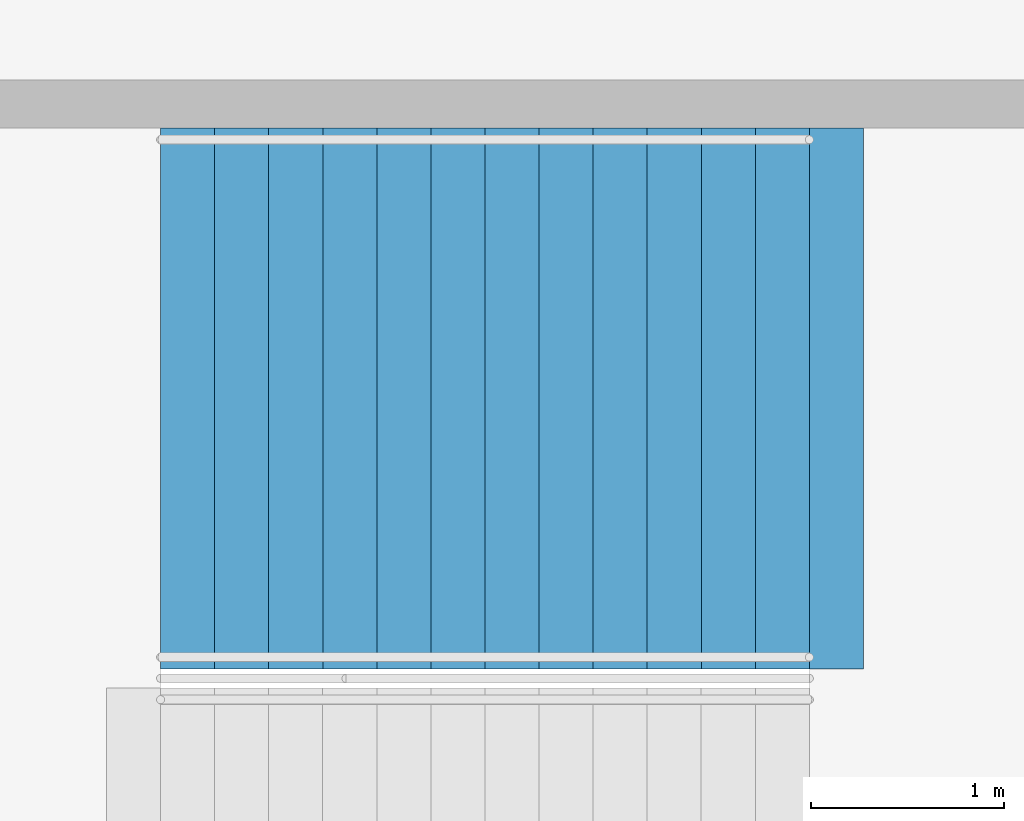
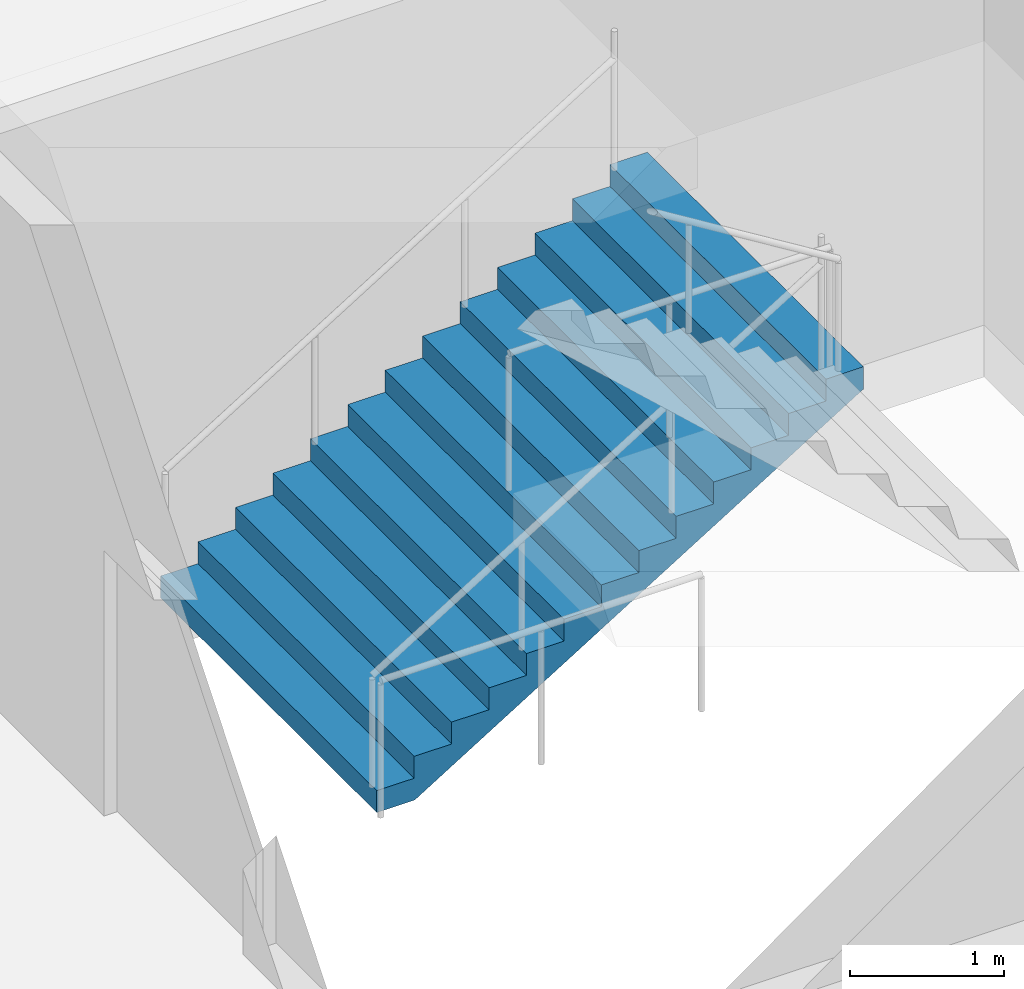
# One storey, part 152 of 199: 1 stair flight, 1 element without a shape of its own.
"""IFC4 building model written with IfcOpenShell, lengths in metres."""

from ifc_helpers import new_model, si_unit, direction, frame, origin, place, context, subcontext, project, spatial, faceted_brep, material, type_object, element, aggregate, save


model = new_model("IFC4")

# Units and contexts
model_context = context("Model", 3, precision=1e-05, world=origin(), true_north=direction((0.0, 1.0)))
body_context = subcontext(model_context, "Body", "Model", "MODEL_VIEW")
ifc_project = project(units=[si_unit("LENGTHUNIT", "METRE"), si_unit("AREAUNIT", "SQUARE_METRE"), si_unit("VOLUMEUNIT", "CUBIC_METRE"), si_unit("PLANEANGLEUNIT", "RADIAN"), si_unit("MASSUNIT", "GRAM", prefix="KILO")], contexts=[model_context])

# Site, building, storey
site_placement = place(None, origin())
site = spatial("IfcSite", under=ifc_project, at=site_placement, CompositionType="ELEMENT")
building_placement = place(site_placement, origin())
building = spatial("IfcBuilding", under=site, at=building_placement, Name="Ogive Plaza Stadium", CompositionType="ELEMENT")
storey_placement = place(building_placement, frame((0.0, 0.0, 4.5)))
storey = spatial("IfcBuildingStorey", under=building, at=storey_placement, Name="L01", CompositionType="ELEMENT", Elevation=4.5)

# Stair, stair flight
ifc_material_1 = material(Name="Concrete C40/50", Category="concrete")
stair_type = type_object("IfcStairType", Name="Exit stair", PredefinedType="STRAIGHT_RUN_STAIR", material=ifc_material_1)
stair_placement = place(storey_placement, origin())
stair = element("IfcStair", 1, at=stair_placement, inside=storey, type_object=stair_type, Name="Exit stair ST04B L01 to L02", PredefinedType="STRAIGHT_RUN_STAIR")
ifc_material_2 = material(Name="Concrete C40/50", Category="concrete")
stair_flight_type = type_object("IfcStairFlightType", Name="Exit stair flight", PredefinedType="STRAIGHT", material=ifc_material_2)
stair_flight_placement = place(storey_placement, frame((76.35009765625, 11.925048828125, 0.0), z_axis=(0.0, 0.0, 1.0), x_axis=(1.0, 0.0, 0.0)))
stair_flight = element("IfcStairFlight", 2, at=stair_flight_placement, type_object=stair_flight_type, Name="ST04B flight 1", NumberOfRisers=13, NumberOfTreads=12, PredefinedType="STRAIGHT", RiserHeight=0.173076923, TreadLength=0.28, context=body_context, shape_type="Brep", body=[
    faceted_brep([(0.28515625, -1.39990234375, 0.0), (3.639892578125, -1.39990234375, 2.07373046875), (3.639892578125, -1.39990234375, 2.25), (3.360107421875, -1.39990234375, 2.25), (3.360107421875, -1.39990234375, 2.076904296875), (3.080078125, -1.39990234375, 2.076904296875), (3.080078125, -1.39990234375, 1.90380859375), (2.800048828125, -1.39990234375, 1.90380859375), (2.800048828125, -1.39990234375, 1.730712890625), (2.52001953125, -1.39990234375, 1.730712890625), (2.52001953125, -1.39990234375, 1.5576171875), (2.239990234375, -1.39990234375, 1.5576171875), (2.239990234375, -1.39990234375, 1.384521484375), (1.9599609375, -1.39990234375, 1.384521484375), (1.9599609375, -1.39990234375, 1.21142578125), (1.679931640625, -1.39990234375, 1.21142578125), (1.679931640625, -1.39990234375, 1.03857421875), (1.39990234375, -1.39990234375, 1.03857421875), (1.39990234375, -1.39990234375, 0.865478515625), (1.1201171875, -1.39990234375, 0.865478515625), (1.1201171875, -1.39990234375, 0.6923828125), (0.840087890625, -1.39990234375, 0.6923828125), (0.840087890625, -1.39990234375, 0.519287109375), (0.56005859375, -1.39990234375, 0.519287109375), (0.56005859375, -1.39990234375, 0.34619140625), (0.280029296875, -1.39990234375, 0.34619140625), (0.280029296875, -1.39990234375, 0.173095703125), (0.0, -1.39990234375, 0.173095703125), (0.0, -1.39990234375, 0.0), (0.0, 1.39990234375, 0.0), (0.0, 1.39990234375, 0.173095703125), (0.280029296875, 1.39990234375, 0.173095703125), (0.280029296875, 1.39990234375, 0.34619140625), (0.56005859375, 1.39990234375, 0.34619140625), (0.56005859375, 1.39990234375, 0.519287109375), (0.840087890625, 1.39990234375, 0.519287109375), (0.840087890625, 1.39990234375, 0.6923828125), (1.1201171875, 1.39990234375, 0.6923828125), (1.1201171875, 1.39990234375, 0.865478515625), (1.39990234375, 1.39990234375, 0.865478515625), (1.39990234375, 1.39990234375, 1.03857421875), (1.679931640625, 1.39990234375, 1.03857421875), (1.679931640625, 1.39990234375, 1.21142578125), (1.9599609375, 1.39990234375, 1.21142578125), (1.9599609375, 1.39990234375, 1.384521484375), (2.239990234375, 1.39990234375, 1.384521484375), (2.239990234375, 1.39990234375, 1.5576171875), (2.52001953125, 1.39990234375, 1.5576171875), (2.52001953125, 1.39990234375, 1.730712890625), (2.800048828125, 1.39990234375, 1.730712890625), (2.800048828125, 1.39990234375, 1.90380859375), (3.080078125, 1.39990234375, 1.90380859375), (3.080078125, 1.39990234375, 2.076904296875), (3.360107421875, 1.39990234375, 2.076904296875), (3.360107421875, 1.39990234375, 2.25), (3.639892578125, 1.39990234375, 2.25), (3.639892578125, 1.39990234375, 2.07373046875), (0.28515625, 1.39990234375, 0.0), (0.28515625, -1.0888671875, 0.0), (3.639892578125, -1.0888671875, 2.07373046875), (0.28515625, -0.77783203125, 0.0), (3.639892578125, -0.77783203125, 2.07373046875), (0.28515625, -0.466796875, 0.0), (3.639892578125, -0.466796875, 2.07373046875), (0.28515625, -0.155517578125, 0.0), (3.639892578125, -0.155517578125, 2.07373046875), (0.28515625, 0.155517578125, 0.0), (3.639892578125, 0.155517578125, 2.07373046875), (0.28515625, 0.466796875, 0.0), (3.639892578125, 0.466796875, 2.07373046875), (0.28515625, 0.77783203125, 0.0), (3.639892578125, 0.77783203125, 2.07373046875), (0.28515625, 1.0888671875, 0.0), (3.639892578125, 1.0888671875, 2.07373046875), (3.639892578125, -1.0888671875, 2.25), (3.639892578125, -0.77783203125, 2.25), (3.639892578125, -0.466796875, 2.25), (3.639892578125, -0.155517578125, 2.25), (3.639892578125, 0.155517578125, 2.25), (3.639892578125, 0.466796875, 2.25), (3.639892578125, 0.77783203125, 2.25), (3.639892578125, 1.0888671875, 2.25), (3.360107421875, -1.0888671875, 2.25), (3.360107421875, -0.77783203125, 2.25), (3.360107421875, -0.466796875, 2.25), (3.360107421875, -0.155517578125, 2.25), (3.360107421875, 0.155517578125, 2.25), (3.360107421875, 0.466796875, 2.25), (3.360107421875, 0.77783203125, 2.25), (3.360107421875, 1.0888671875, 2.25), (3.360107421875, -1.0888671875, 2.076904296875), (3.360107421875, -0.77783203125, 2.076904296875), (3.360107421875, -0.466796875, 2.076904296875), (3.360107421875, -0.155517578125, 2.076904296875), (3.360107421875, 0.155517578125, 2.076904296875), (3.360107421875, 0.466796875, 2.076904296875), (3.360107421875, 0.77783203125, 2.076904296875), (3.360107421875, 1.0888671875, 2.076904296875), (3.080078125, -1.0888671875, 2.076904296875), (3.080078125, -0.77783203125, 2.076904296875), (3.080078125, -0.466796875, 2.076904296875), (3.080078125, -0.155517578125, 2.076904296875), (3.080078125, 0.155517578125, 2.076904296875), (3.080078125, 0.466796875, 2.076904296875), (3.080078125, 0.77783203125, 2.076904296875), (3.080078125, 1.0888671875, 2.076904296875), (3.080078125, -1.0888671875, 1.90380859375), (3.080078125, -0.77783203125, 1.90380859375), (3.080078125, -0.466796875, 1.90380859375), (3.080078125, -0.155517578125, 1.90380859375), (3.080078125, 0.155517578125, 1.90380859375), (3.080078125, 0.466796875, 1.90380859375), (3.080078125, 0.77783203125, 1.90380859375), (3.080078125, 1.0888671875, 1.90380859375), (2.800048828125, -1.0888671875, 1.90380859375), (2.800048828125, -0.77783203125, 1.90380859375), (2.800048828125, -0.466796875, 1.90380859375), (2.800048828125, -0.155517578125, 1.90380859375), (2.800048828125, 0.155517578125, 1.90380859375), (2.800048828125, 0.466796875, 1.90380859375), (2.800048828125, 0.77783203125, 1.90380859375), (2.800048828125, 1.0888671875, 1.90380859375), (2.800048828125, -1.0888671875, 1.730712890625), (2.800048828125, -0.77783203125, 1.730712890625), (2.800048828125, -0.466796875, 1.730712890625), (2.800048828125, -0.155517578125, 1.730712890625), (2.800048828125, 0.155517578125, 1.730712890625), (2.800048828125, 0.466796875, 1.730712890625), (2.800048828125, 0.77783203125, 1.730712890625), (2.800048828125, 1.0888671875, 1.730712890625), (2.52001953125, -1.0888671875, 1.730712890625), (2.52001953125, -0.77783203125, 1.730712890625), (2.52001953125, -0.466796875, 1.730712890625), (2.52001953125, -0.155517578125, 1.730712890625), (2.52001953125, 0.155517578125, 1.730712890625), (2.52001953125, 0.466796875, 1.730712890625), (2.52001953125, 0.77783203125, 1.730712890625), (2.52001953125, 1.0888671875, 1.730712890625), (2.52001953125, -1.0888671875, 1.5576171875), (2.52001953125, -0.77783203125, 1.5576171875), (2.52001953125, -0.466796875, 1.5576171875), (2.52001953125, -0.155517578125, 1.5576171875), (2.52001953125, 0.155517578125, 1.5576171875), (2.52001953125, 0.466796875, 1.5576171875), (2.52001953125, 0.77783203125, 1.5576171875), (2.52001953125, 1.0888671875, 1.5576171875), (2.239990234375, -1.0888671875, 1.5576171875), (2.239990234375, -0.77783203125, 1.5576171875), (2.239990234375, -0.466796875, 1.5576171875), (2.239990234375, -0.155517578125, 1.5576171875), (2.239990234375, 0.155517578125, 1.5576171875), (2.239990234375, 0.466796875, 1.5576171875), (2.239990234375, 0.77783203125, 1.5576171875), (2.239990234375, 1.0888671875, 1.5576171875), (2.239990234375, -1.0888671875, 1.384521484375), (2.239990234375, -0.77783203125, 1.384521484375), (2.239990234375, -0.466796875, 1.384521484375), (2.239990234375, -0.155517578125, 1.384521484375), (2.239990234375, 0.155517578125, 1.384521484375), (2.239990234375, 0.466796875, 1.384521484375), (2.239990234375, 0.77783203125, 1.384521484375), (2.239990234375, 1.0888671875, 1.384521484375), (1.9599609375, -1.0888671875, 1.384521484375), (1.9599609375, -0.77783203125, 1.384521484375), (1.9599609375, -0.466796875, 1.384521484375), (1.9599609375, -0.155517578125, 1.384521484375), (1.9599609375, 0.155517578125, 1.384521484375), (1.9599609375, 0.466796875, 1.384521484375), (1.9599609375, 0.77783203125, 1.384521484375), (1.9599609375, 1.0888671875, 1.384521484375), (1.9599609375, -1.0888671875, 1.21142578125), (1.9599609375, -0.77783203125, 1.21142578125), (1.9599609375, -0.466796875, 1.21142578125), (1.9599609375, -0.155517578125, 1.21142578125), (1.9599609375, 0.155517578125, 1.21142578125), (1.9599609375, 0.466796875, 1.21142578125), (1.9599609375, 0.77783203125, 1.21142578125), (1.9599609375, 1.0888671875, 1.21142578125), (1.679931640625, -1.0888671875, 1.21142578125), (1.679931640625, -0.77783203125, 1.21142578125), (1.679931640625, -0.466796875, 1.21142578125), (1.679931640625, -0.155517578125, 1.21142578125), (1.679931640625, 0.155517578125, 1.21142578125), (1.679931640625, 0.466796875, 1.21142578125), (1.679931640625, 0.77783203125, 1.21142578125), (1.679931640625, 1.0888671875, 1.21142578125), (1.679931640625, -1.0888671875, 1.03857421875), (1.679931640625, -0.77783203125, 1.03857421875), (1.679931640625, -0.466796875, 1.03857421875), (1.679931640625, -0.155517578125, 1.03857421875), (1.679931640625, 0.155517578125, 1.03857421875), (1.679931640625, 0.466796875, 1.03857421875), (1.679931640625, 0.77783203125, 1.03857421875), (1.679931640625, 1.0888671875, 1.03857421875), (1.39990234375, -1.0888671875, 1.03857421875), (1.39990234375, -0.77783203125, 1.03857421875), (1.39990234375, -0.466796875, 1.03857421875), (1.39990234375, -0.155517578125, 1.03857421875), (1.39990234375, 0.155517578125, 1.03857421875), (1.39990234375, 0.466796875, 1.03857421875), (1.39990234375, 0.77783203125, 1.03857421875), (1.39990234375, 1.0888671875, 1.03857421875), (1.39990234375, -1.0888671875, 0.865478515625), (1.39990234375, -0.77783203125, 0.865478515625), (1.39990234375, -0.466796875, 0.865478515625), (1.39990234375, -0.155517578125, 0.865478515625), (1.39990234375, 0.155517578125, 0.865478515625), (1.39990234375, 0.466796875, 0.865478515625), (1.39990234375, 0.77783203125, 0.865478515625), (1.39990234375, 1.0888671875, 0.865478515625), (1.1201171875, -1.0888671875, 0.865478515625), (1.1201171875, -0.77783203125, 0.865478515625), (1.1201171875, -0.466796875, 0.865478515625), (1.1201171875, -0.155517578125, 0.865478515625), (1.1201171875, 0.155517578125, 0.865478515625), (1.1201171875, 0.466796875, 0.865478515625), (1.1201171875, 0.77783203125, 0.865478515625), (1.1201171875, 1.0888671875, 0.865478515625), (1.1201171875, -1.0888671875, 0.6923828125), (1.1201171875, -0.77783203125, 0.6923828125), (1.1201171875, -0.466796875, 0.6923828125), (1.1201171875, -0.155517578125, 0.6923828125), (1.1201171875, 0.155517578125, 0.6923828125), (1.1201171875, 0.466796875, 0.6923828125), (1.1201171875, 0.77783203125, 0.6923828125), (1.1201171875, 1.0888671875, 0.6923828125), (0.840087890625, -1.0888671875, 0.6923828125), (0.840087890625, -0.77783203125, 0.6923828125), (0.840087890625, -0.466796875, 0.6923828125), (0.840087890625, -0.155517578125, 0.6923828125), (0.840087890625, 0.155517578125, 0.6923828125), (0.840087890625, 0.466796875, 0.6923828125), (0.840087890625, 0.77783203125, 0.6923828125), (0.840087890625, 1.0888671875, 0.6923828125), (0.840087890625, -1.0888671875, 0.519287109375), (0.840087890625, -0.77783203125, 0.519287109375), (0.840087890625, -0.466796875, 0.519287109375), (0.840087890625, -0.155517578125, 0.519287109375), (0.840087890625, 0.155517578125, 0.519287109375), (0.840087890625, 0.466796875, 0.519287109375), (0.840087890625, 0.77783203125, 0.519287109375), (0.840087890625, 1.0888671875, 0.519287109375), (0.56005859375, -1.0888671875, 0.519287109375), (0.56005859375, -0.77783203125, 0.519287109375), (0.56005859375, -0.466796875, 0.519287109375), (0.56005859375, -0.155517578125, 0.519287109375), (0.56005859375, 0.155517578125, 0.519287109375), (0.56005859375, 0.466796875, 0.519287109375), (0.56005859375, 0.77783203125, 0.519287109375), (0.56005859375, 1.0888671875, 0.519287109375), (0.56005859375, -1.0888671875, 0.34619140625), (0.56005859375, -0.77783203125, 0.34619140625), (0.56005859375, -0.466796875, 0.34619140625), (0.56005859375, -0.155517578125, 0.34619140625), (0.56005859375, 0.155517578125, 0.34619140625), (0.56005859375, 0.466796875, 0.34619140625), (0.56005859375, 0.77783203125, 0.34619140625), (0.56005859375, 1.0888671875, 0.34619140625), (0.280029296875, -1.0888671875, 0.34619140625), (0.280029296875, -0.77783203125, 0.34619140625), (0.280029296875, -0.466796875, 0.34619140625), (0.280029296875, -0.155517578125, 0.34619140625), (0.280029296875, 0.155517578125, 0.34619140625), (0.280029296875, 0.466796875, 0.34619140625), (0.280029296875, 0.77783203125, 0.34619140625), (0.280029296875, 1.0888671875, 0.34619140625), (0.280029296875, -1.0888671875, 0.173095703125), (0.280029296875, -0.77783203125, 0.173095703125), (0.280029296875, -0.466796875, 0.173095703125), (0.280029296875, -0.155517578125, 0.173095703125), (0.280029296875, 0.155517578125, 0.173095703125), (0.280029296875, 0.466796875, 0.173095703125), (0.280029296875, 0.77783203125, 0.173095703125), (0.280029296875, 1.0888671875, 0.173095703125), (0.0, -1.0888671875, 0.173095703125), (0.0, -0.77783203125, 0.173095703125), (0.0, -0.466796875, 0.173095703125), (0.0, -0.155517578125, 0.173095703125), (0.0, 0.155517578125, 0.173095703125), (0.0, 0.466796875, 0.173095703125), (0.0, 0.77783203125, 0.173095703125), (0.0, 1.0888671875, 0.173095703125), (0.0, -1.0888671875, 0.0), (0.0, -0.77783203125, 0.0), (0.0, -0.466796875, 0.0), (0.0, -0.155517578125, 0.0), (0.0, 0.155517578125, 0.0), (0.0, 0.466796875, 0.0), (0.0, 0.77783203125, 0.0), (0.0, 1.0888671875, 0.0)], [[[0, 1, 2, 3, 4, 5, 6, 7, 8, 9, 10, 11, 12, 13, 14, 15, 16, 17, 18, 19, 20, 21, 22, 23, 24, 25, 26, 27, 28]], [[29, 30, 31, 32, 33, 34, 35, 36, 37, 38, 39, 40, 41, 42, 43, 44, 45, 46, 47, 48, 49, 50, 51, 52, 53, 54, 55, 56, 57]], [[0, 58, 59, 1]], [[58, 60, 61, 59]], [[60, 62, 63, 61]], [[62, 64, 65, 63]], [[64, 66, 67, 65]], [[66, 68, 69, 67]], [[68, 70, 71, 69]], [[70, 72, 73, 71]], [[72, 57, 56, 73]], [[1, 59, 74, 2]], [[59, 61, 75, 74]], [[61, 63, 76, 75]], [[63, 65, 77, 76]], [[65, 67, 78, 77]], [[67, 69, 79, 78]], [[69, 71, 80, 79]], [[71, 73, 81, 80]], [[73, 56, 55, 81]], [[2, 74, 82, 3]], [[74, 75, 83, 82]], [[75, 76, 84, 83]], [[76, 77, 85, 84]], [[77, 78, 86, 85]], [[78, 79, 87, 86]], [[79, 80, 88, 87]], [[80, 81, 89, 88]], [[81, 55, 54, 89]], [[3, 82, 90, 4]], [[82, 83, 91, 90]], [[83, 84, 92, 91]], [[84, 85, 93, 92]], [[85, 86, 94, 93]], [[86, 87, 95, 94]], [[87, 88, 96, 95]], [[88, 89, 97, 96]], [[89, 54, 53, 97]], [[4, 90, 98, 5]], [[90, 91, 99, 98]], [[91, 92, 100, 99]], [[92, 93, 101, 100]], [[93, 94, 102, 101]], [[94, 95, 103, 102]], [[95, 96, 104, 103]], [[96, 97, 105, 104]], [[97, 53, 52, 105]], [[5, 98, 106, 6]], [[98, 99, 107, 106]], [[99, 100, 108, 107]], [[100, 101, 109, 108]], [[101, 102, 110, 109]], [[102, 103, 111, 110]], [[103, 104, 112, 111]], [[104, 105, 113, 112]], [[105, 52, 51, 113]], [[6, 106, 114, 7]], [[106, 107, 115, 114]], [[107, 108, 116, 115]], [[108, 109, 117, 116]], [[109, 110, 118, 117]], [[110, 111, 119, 118]], [[111, 112, 120, 119]], [[112, 113, 121, 120]], [[113, 51, 50, 121]], [[7, 114, 122, 8]], [[114, 115, 123, 122]], [[115, 116, 124, 123]], [[116, 117, 125, 124]], [[117, 118, 126, 125]], [[118, 119, 127, 126]], [[119, 120, 128, 127]], [[120, 121, 129, 128]], [[121, 50, 49, 129]], [[8, 122, 130, 9]], [[122, 123, 131, 130]], [[123, 124, 132, 131]], [[124, 125, 133, 132]], [[125, 126, 134, 133]], [[126, 127, 135, 134]], [[127, 128, 136, 135]], [[128, 129, 137, 136]], [[129, 49, 48, 137]], [[9, 130, 138, 10]], [[130, 131, 139, 138]], [[131, 132, 140, 139]], [[132, 133, 141, 140]], [[133, 134, 142, 141]], [[134, 135, 143, 142]], [[135, 136, 144, 143]], [[136, 137, 145, 144]], [[137, 48, 47, 145]], [[10, 138, 146, 11]], [[138, 139, 147, 146]], [[139, 140, 148, 147]], [[140, 141, 149, 148]], [[141, 142, 150, 149]], [[142, 143, 151, 150]], [[143, 144, 152, 151]], [[144, 145, 153, 152]], [[145, 47, 46, 153]], [[11, 146, 154, 12]], [[146, 147, 155, 154]], [[147, 148, 156, 155]], [[148, 149, 157, 156]], [[149, 150, 158, 157]], [[150, 151, 159, 158]], [[151, 152, 160, 159]], [[152, 153, 161, 160]], [[153, 46, 45, 161]], [[12, 154, 162, 13]], [[154, 155, 163, 162]], [[155, 156, 164, 163]], [[156, 157, 165, 164]], [[157, 158, 166, 165]], [[158, 159, 167, 166]], [[159, 160, 168, 167]], [[160, 161, 169, 168]], [[161, 45, 44, 169]], [[13, 162, 170, 14]], [[162, 163, 171, 170]], [[163, 164, 172, 171]], [[164, 165, 173, 172]], [[165, 166, 174, 173]], [[166, 167, 175, 174]], [[167, 168, 176, 175]], [[168, 169, 177, 176]], [[169, 44, 43, 177]], [[14, 170, 178, 15]], [[170, 171, 179, 178]], [[171, 172, 180, 179]], [[172, 173, 181, 180]], [[173, 174, 182, 181]], [[174, 175, 183, 182]], [[175, 176, 184, 183]], [[176, 177, 185, 184]], [[177, 43, 42, 185]], [[15, 178, 186, 16]], [[178, 179, 187, 186]], [[179, 180, 188, 187]], [[180, 181, 189, 188]], [[181, 182, 190, 189]], [[182, 183, 191, 190]], [[183, 184, 192, 191]], [[184, 185, 193, 192]], [[185, 42, 41, 193]], [[16, 186, 194, 17]], [[186, 187, 195, 194]], [[187, 188, 196, 195]], [[188, 189, 197, 196]], [[189, 190, 198, 197]], [[190, 191, 199, 198]], [[191, 192, 200, 199]], [[192, 193, 201, 200]], [[193, 41, 40, 201]], [[17, 194, 202, 18]], [[194, 195, 203, 202]], [[195, 196, 204, 203]], [[196, 197, 205, 204]], [[197, 198, 206, 205]], [[198, 199, 207, 206]], [[199, 200, 208, 207]], [[200, 201, 209, 208]], [[201, 40, 39, 209]], [[18, 202, 210, 19]], [[202, 203, 211, 210]], [[203, 204, 212, 211]], [[204, 205, 213, 212]], [[205, 206, 214, 213]], [[206, 207, 215, 214]], [[207, 208, 216, 215]], [[208, 209, 217, 216]], [[209, 39, 38, 217]], [[19, 210, 218, 20]], [[210, 211, 219, 218]], [[211, 212, 220, 219]], [[212, 213, 221, 220]], [[213, 214, 222, 221]], [[214, 215, 223, 222]], [[215, 216, 224, 223]], [[216, 217, 225, 224]], [[217, 38, 37, 225]], [[20, 218, 226, 21]], [[218, 219, 227, 226]], [[219, 220, 228, 227]], [[220, 221, 229, 228]], [[221, 222, 230, 229]], [[222, 223, 231, 230]], [[223, 224, 232, 231]], [[224, 225, 233, 232]], [[225, 37, 36, 233]], [[21, 226, 234, 22]], [[226, 227, 235, 234]], [[227, 228, 236, 235]], [[228, 229, 237, 236]], [[229, 230, 238, 237]], [[230, 231, 239, 238]], [[231, 232, 240, 239]], [[232, 233, 241, 240]], [[233, 36, 35, 241]], [[22, 234, 242, 23]], [[234, 235, 243, 242]], [[235, 236, 244, 243]], [[236, 237, 245, 244]], [[237, 238, 246, 245]], [[238, 239, 247, 246]], [[239, 240, 248, 247]], [[240, 241, 249, 248]], [[241, 35, 34, 249]], [[23, 242, 250, 24]], [[242, 243, 251, 250]], [[243, 244, 252, 251]], [[244, 245, 253, 252]], [[245, 246, 254, 253]], [[246, 247, 255, 254]], [[247, 248, 256, 255]], [[248, 249, 257, 256]], [[249, 34, 33, 257]], [[24, 250, 258, 25]], [[250, 251, 259, 258]], [[251, 252, 260, 259]], [[252, 253, 261, 260]], [[253, 254, 262, 261]], [[254, 255, 263, 262]], [[255, 256, 264, 263]], [[256, 257, 265, 264]], [[257, 33, 32, 265]], [[25, 258, 266, 26]], [[258, 259, 267, 266]], [[259, 260, 268, 267]], [[260, 261, 269, 268]], [[261, 262, 270, 269]], [[262, 263, 271, 270]], [[263, 264, 272, 271]], [[264, 265, 273, 272]], [[265, 32, 31, 273]], [[26, 266, 274, 27]], [[266, 267, 275, 274]], [[267, 268, 276, 275]], [[268, 269, 277, 276]], [[269, 270, 278, 277]], [[270, 271, 279, 278]], [[271, 272, 280, 279]], [[272, 273, 281, 280]], [[273, 31, 30, 281]], [[27, 274, 282, 28]], [[274, 275, 283, 282]], [[275, 276, 284, 283]], [[276, 277, 285, 284]], [[277, 278, 286, 285]], [[278, 279, 287, 286]], [[279, 280, 288, 287]], [[280, 281, 289, 288]], [[281, 30, 29, 289]], [[28, 282, 58, 0]], [[282, 283, 60, 58]], [[283, 284, 62, 60]], [[284, 285, 64, 62]], [[285, 286, 66, 64]], [[286, 287, 68, 66]], [[287, 288, 70, 68]], [[288, 289, 72, 70]], [[289, 29, 57, 72]]]),
])
aggregate(stair, [stair_flight])

save(model, "model.ifc")
